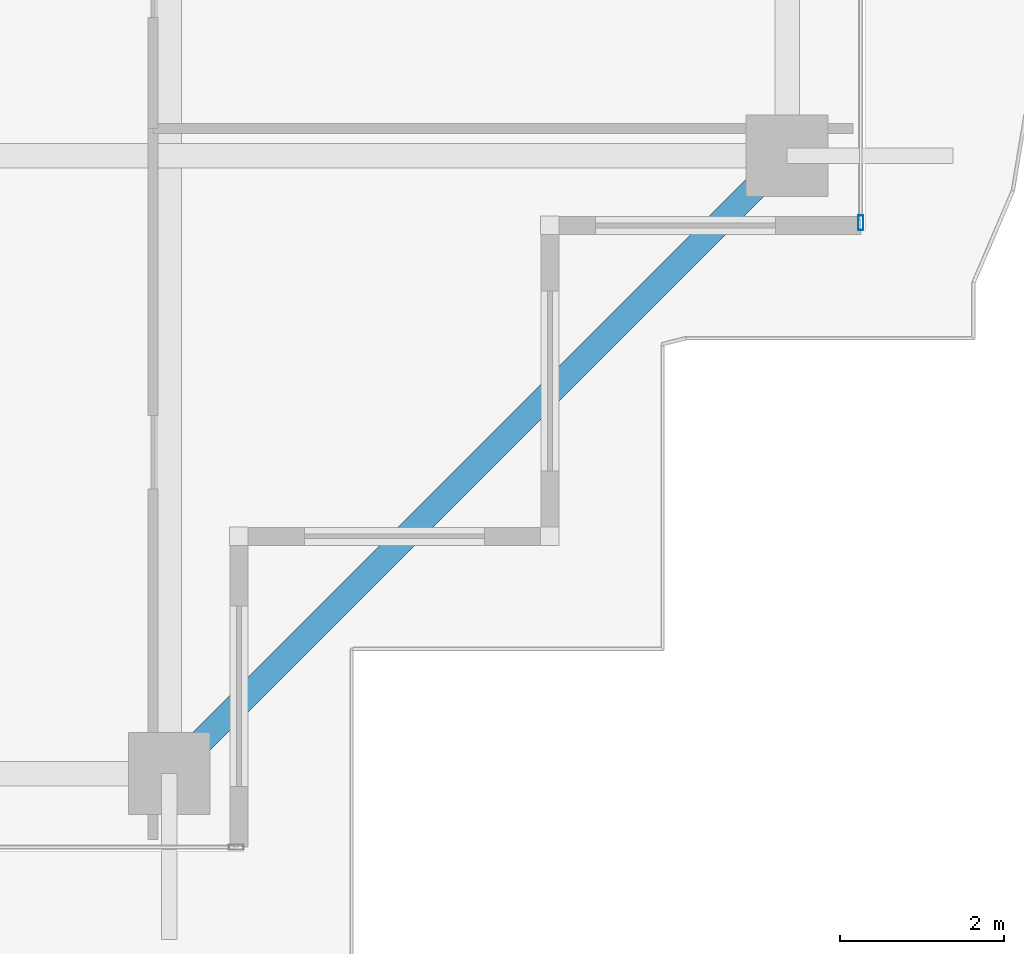
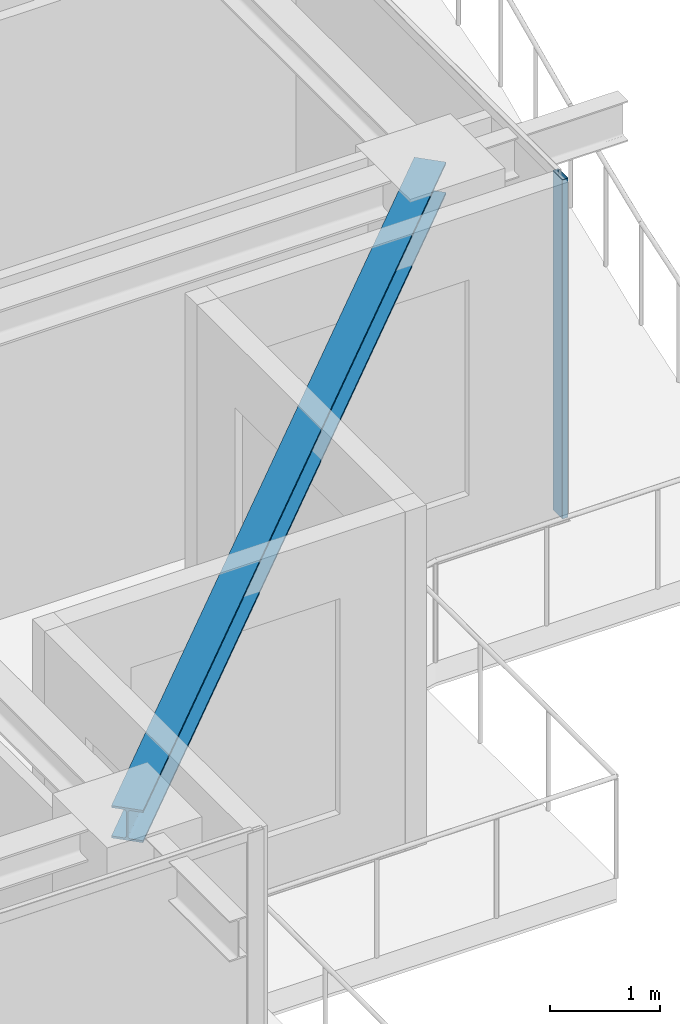
# One storey, part 13 of 39: 1 beam, 1 member, 1 element without a shape of its own.
"""IFC4 building model written with IfcOpenShell, lengths in metres."""

from ifc_helpers import new_model, si_unit, direction, frame, origin, origin_2d, place, context, subcontext, project, spatial, hollow_rectangle, i_section, extrude, source, transform, mapped, material, layer, layer_set, material_profile, profile_set, type_object, element, aggregate, save


model = new_model("IFC4")

# Units and contexts
model_context = context("Model", 3, precision=1e-05, world=origin(), true_north=direction((0.0, 1.0)))
body_context = subcontext(model_context, "Body", "Model", "MODEL_VIEW")
ifc_project = project(units=[si_unit("LENGTHUNIT", "METRE"), si_unit("AREAUNIT", "SQUARE_METRE"), si_unit("VOLUMEUNIT", "CUBIC_METRE"), si_unit("PLANEANGLEUNIT", "RADIAN"), si_unit("MASSUNIT", "GRAM", prefix="KILO")], contexts=[model_context])

# Site, building, storey
site_placement = place(None, origin())
site = spatial("IfcSite", under=ifc_project, at=site_placement, CompositionType="ELEMENT")
building_placement = place(site_placement, origin())
building = spatial("IfcBuilding", under=site, at=building_placement, Name="Serunith Strait Residences", CompositionType="ELEMENT")
storey_placement = place(building_placement, frame((0.0, 0.0, 329.89990234375)))
storey = spatial("IfcBuildingStorey", under=building, at=storey_placement, Name="L82", CompositionType="ELEMENT", Elevation=329.89990234375)

# Beam
ifc_material_1 = material(Name="Steel S355J2", Category="steel")
ifc_material_profile_1 = material_profile(ifc_material_1, i_section(OverallWidth=0.300048828125, OverallDepth=0.360107421875, WebThickness=0.012451171875, FlangeThickness=0.0224609375, FilletRadius=0.027099609375, at=origin_2d()), Name="HEB 360")
ifc_profile_set_1 = profile_set([ifc_material_profile_1], Name="Steel S355J2")
beam_type = type_object("IfcBeamType", Name="BM-HEB360", PredefinedType="BEAM", material=ifc_profile_set_1)
shared_shape_1 = source(origin(), body_context, "Body", "SweptSolid", [
    extrude(i_section(OverallWidth=0.300048828125, OverallDepth=0.360107421875, WebThickness=0.012451171875, FlangeThickness=0.0224609375, FilletRadius=0.027099609375, at=origin_2d()), origin(), (0.0, 0.0, 1.0), 10.677490234375),
])
beam_placement = place(storey_placement, frame((47.14990234375, 3.300048828125, 3.5771484375), z_axis=(0.707106781187, 0.707106781187, 0.0), x_axis=(-0.707106781187, 0.707106781187, 0.0)))
element("IfcBeam", 1, at=beam_placement, inside=storey, type_object=beam_type, Name="L82 Perimeter Ring Beam 04", PredefinedType="BEAM", context=body_context, shape_type="MappedRepresentation", body=[
    mapped(shared_shape_1, transform((0.0, 0.0, 0.0), scale=1.0)),
])

# Curtain wall, member
ifc_material_2 = material(Name="Brushed Stainless-Silver Aluminium", Category="aluminium")
ifc_layer = layer(ifc_material_2, 0.199951171875, Name="Brushed Stainless-Silver Aluminium")
ifc_layer_set = layer_set([ifc_layer], Name="Brushed Stainless-Silver Aluminium")
curtain_wall_type = type_object("IfcCurtainWallType", Name="CW-SYS5", PredefinedType="NOTDEFINED", material=ifc_layer_set)
curtain_wall_placement = place(storey_placement, origin())
curtain_wall = element("IfcCurtainWall", 2, at=curtain_wall_placement, inside=storey, type_object=curtain_wall_type, Name="L82 E Unitised Fritted Curtain Wall", PredefinedType="NOTDEFINED")
ifc_material_profile_2 = material_profile(ifc_material_2, hollow_rectangle(XDim=0.06494140625, YDim=0.179931640625, WallThickness=0.00341796875, InnerFilletRadius=0.00537109375, OuterFilletRadius=0.0087890625, at=origin_2d()), Name="ALU 180x65x3.5")
ifc_profile_set_2 = profile_set([ifc_material_profile_2], Name="Brushed Stainless-Silver Aluminium")
member_type = type_object("IfcMemberType", Name="CW-SYS5-MULL", PredefinedType="MULLION", material=ifc_profile_set_2)
shared_shape_2 = source(origin(), body_context, "Body", "SweptSolid", [
    extrude(hollow_rectangle(XDim=0.06494140625, YDim=0.179931640625, WallThickness=0.00341796875, InnerFilletRadius=0.00537109375, OuterFilletRadius=0.0087890625, at=origin_2d()), origin(), (0.0, 0.0, 1.0), 3.775146484375),
])
member_placement = place(storey_placement, frame((55.60009765625, 10.032470703125, 0.0), z_axis=(0.0, 0.0, 1.0), x_axis=(-1.0, 0.0, 0.0)))
member = element("IfcMember", 3, at=member_placement, type_object=member_type, Name="CW-5 mullion 1", PredefinedType="MULLION", context=body_context, shape_type="MappedRepresentation", body=[
    mapped(shared_shape_2, transform((0.0, 0.0, 0.0), scale=1.0)),
])
aggregate(curtain_wall, [member])

save(model, "model.ifc")
